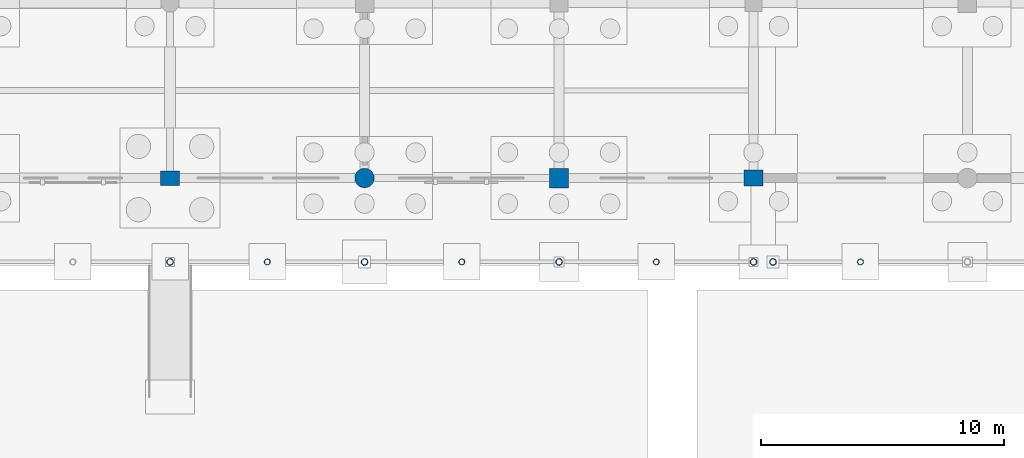
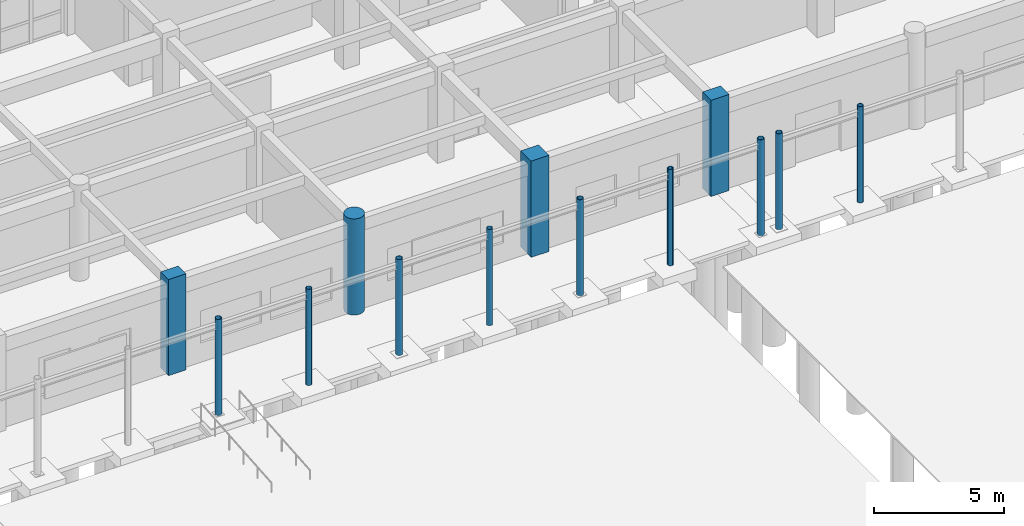
# One storey, part 37 of 166: 13 columns.
"""IFC4 building model written with IfcOpenShell, lengths in metres."""

from ifc_helpers import new_model, si_unit, direction, frame, origin, origin_2d, place, context, subcontext, project, spatial, rectangle, circle, hollow_circle, extrude, material, material_profile, profile_set, type_object, element, save


model = new_model("IFC4")

# Units and contexts
model_context = context("Model", 3, precision=1e-05, world=origin(), true_north=direction((0.0, 1.0)))
body_context = subcontext(model_context, "Body", "Model", "MODEL_VIEW")
ifc_project = project(units=[si_unit("LENGTHUNIT", "METRE"), si_unit("AREAUNIT", "SQUARE_METRE"), si_unit("VOLUMEUNIT", "CUBIC_METRE"), si_unit("PLANEANGLEUNIT", "RADIAN"), si_unit("MASSUNIT", "GRAM", prefix="KILO")], contexts=[model_context])

# Site, building, storey
site_placement = place(None, origin())
site = spatial("IfcSite", under=ifc_project, at=site_placement, CompositionType="ELEMENT")
building_placement = place(site_placement, origin())
building = spatial("IfcBuilding", under=site, at=building_placement, Name="Kharva Crest Polytechnic", CompositionType="ELEMENT")
storey_placement = place(building_placement, origin())
storey = spatial("IfcBuildingStorey", under=building, at=storey_placement, Name="L00", CompositionType="ELEMENT", Elevation=0.0)

# Columns
ifc_material_1 = material(Name="Concrete C40/50", Category="concrete")
ifc_material_profile_1 = material_profile(ifc_material_1, rectangle(XDim=0.780029296875, YDim=0.60009765625, at=origin_2d()), Name="RECT 780 X 600")
ifc_profile_set_1 = profile_set([ifc_material_profile_1], Name="Concrete C40/50")
column_type_1 = type_object("IfcColumnType", Name="COL-EXT-780X600", PredefinedType="COLUMN", material=ifc_profile_set_1)
column_1_placement = place(storey_placement, frame((96.0, 100.39990234375, 0.0), z_axis=(0.0, 0.0, 1.0), x_axis=(1.0, 0.0, 0.0)))
element("IfcColumn", 1, at=column_1_placement, inside=storey, type_object=column_type_1, Name="L00 Column 13/P", PredefinedType="COLUMN", context=body_context, shape_type="SweptSolid", body=[
    extrude(rectangle(XDim=0.780029296875, YDim=0.60009765625, at=origin_2d()), origin(), (0.0, 0.0, 1.0), 4.5),
])
ifc_material_profile_2 = material_profile(ifc_material_1, rectangle(XDim=0.800048828125, YDim=0.64990234375, at=origin_2d()), Name="RECT 800 X 650")
ifc_profile_set_2 = profile_set([ifc_material_profile_2], Name="Concrete C40/50")
column_type_2 = type_object("IfcColumnType", Name="COL-EXT-800X650", PredefinedType="COLUMN", material=ifc_profile_set_2)
column_2_placement = place(storey_placement, frame((120.0, 100.39990234375, 0.0), z_axis=(0.0, 0.0, 1.0), x_axis=(1.0, 0.0, 0.0)))
element("IfcColumn", 2, at=column_2_placement, inside=storey, type_object=column_type_2, Name="L00 Column 16/P", PredefinedType="COLUMN", context=body_context, shape_type="SweptSolid", body=[
    extrude(rectangle(XDim=0.800048828125, YDim=0.64990234375, at=origin_2d()), origin(), (0.0, 0.0, 1.0), 4.5),
])
ifc_material_profile_3 = material_profile(ifc_material_1, rectangle(XDim=0.800048828125, YDim=0.800048828125, at=origin_2d()), Name="RECT 800 X 800")
ifc_profile_set_3 = profile_set([ifc_material_profile_3], Name="Concrete C40/50")
column_type_3 = type_object("IfcColumnType", Name="COL-EXT-800X800", PredefinedType="COLUMN", material=ifc_profile_set_3)
column_3_placement = place(storey_placement, frame((112.0, 100.39990234375, 0.0), z_axis=(0.0, 0.0, 1.0), x_axis=(1.0, 0.0, 0.0)))
element("IfcColumn", 3, at=column_3_placement, inside=storey, type_object=column_type_3, Name="L00 Column 15/P", PredefinedType="COLUMN", context=body_context, shape_type="SweptSolid", body=[
    extrude(rectangle(XDim=0.800048828125, YDim=0.800048828125, at=origin_2d()), origin(), (0.0, 0.0, 1.0), 4.5),
])
ifc_material_profile_4 = material_profile(ifc_material_1, circle(Radius=0.39990234375, at=origin_2d()), Name="DIA 800")
ifc_profile_set_4 = profile_set([ifc_material_profile_4], Name="Concrete C40/50")
column_type_4 = type_object("IfcColumnType", Name="COL-EXT-DIA800", PredefinedType="COLUMN", material=ifc_profile_set_4)
column_4_placement = place(storey_placement, frame((104.0, 100.39990234375, 0.0), z_axis=(0.0, 0.0, 1.0), x_axis=(1.0, 0.0, 0.0)))
element("IfcColumn", 4, at=column_4_placement, inside=storey, type_object=column_type_4, Name="L00 Column 14/P", PredefinedType="COLUMN", context=body_context, shape_type="SweptSolid", body=[
    extrude(circle(Radius=0.39990234375, at=origin_2d()), origin(), (0.0, 0.0, 1.0), 4.5),
])
ifc_material_2 = material(Name="Steel S355", Category="steel")
ifc_material_profile_5 = material_profile(ifc_material_2, hollow_circle(Radius=0.122314453125, WallThickness=0.010009765625, at=origin_2d()), Name="CHS 244.5X10.0")
ifc_profile_set_5 = profile_set([ifc_material_profile_5], Name="Steel S355")
column_type_5 = type_object("IfcColumnType", Name="COL-STL-CHS244", PredefinedType="COLUMN", material=ifc_profile_set_5)
for number, where, z_axis, x_axis, name in (
    (5, (100.0, 96.949951171875, 0.0), (0.0, 0.0, 1.0), (1.0, 0.0, 0.0), "L00 Colonnade Mid Column VNM06"),
    (6, (108.0, 96.949951171875, 0.0), (0.0, 0.0, 1.0), (1.0, 0.0, 0.0), "L00 Colonnade Mid Column VNM07"),
    (7, (116.0, 96.949951171875, 0.0), (0.0, 0.0, 1.0), (1.0, 0.0, 0.0), "L00 Colonnade Mid Column VNM08"),
    (8, (124.39990234375, 96.949951171875, 0.0), (0.0, 0.0, 1.0), (1.0, 0.0, 0.0), "L00 Colonnade Mid Column VNM09"),
):
    element("IfcColumn", number, at=place(storey_placement, frame(where, z_axis=z_axis, x_axis=x_axis)), inside=storey, type_object=column_type_5, Name=name, PredefinedType="COLUMN", context=body_context, shape_type="SweptSolid", body=[
        extrude(hollow_circle(Radius=0.122314453125, WallThickness=0.010009765625, at=origin_2d()), origin(), (0.0, 0.0, 1.0), 4.5),
    ])
ifc_material_profile_6 = material_profile(ifc_material_2, hollow_circle(Radius=0.136474609375, WallThickness=0.012451171875, at=origin_2d()), Name="CHS 273.0X12.5")
ifc_profile_set_6 = profile_set([ifc_material_profile_6], Name="Steel S355")
column_type_6 = type_object("IfcColumnType", Name="COL-STL-CHS273", PredefinedType="COLUMN", material=ifc_profile_set_6)
for number, where, z_axis, x_axis, name in (
    (9, (96.0, 96.949951171875, 0.0), (0.0, 0.0, 1.0), (1.0, 0.0, 0.0), "L00 Colonnade Column VN06"),
    (10, (104.0, 96.949951171875, 0.0), (0.0, 0.0, 1.0), (1.0, 0.0, 0.0), "L00 Colonnade Column VN07"),
    (11, (112.0, 96.949951171875, 0.0), (0.0, 0.0, 1.0), (1.0, 0.0, 0.0), "L00 Colonnade Column VN08"),
    (12, (120.0, 96.949951171875, 0.0), (0.0, 0.0, 1.0), (1.0, 0.0, 0.0), "L00 Colonnade Column VN09"),
    (13, (120.800048828125, 96.949951171875, 0.0), (0.0, 0.0, 1.0), (1.0, 0.0, 0.0), "L00 Colonnade Column VN10"),
):
    element("IfcColumn", number, at=place(storey_placement, frame(where, z_axis=z_axis, x_axis=x_axis)), inside=storey, type_object=column_type_6, Name=name, PredefinedType="COLUMN", context=body_context, shape_type="SweptSolid", body=[
        extrude(hollow_circle(Radius=0.136474609375, WallThickness=0.012451171875, at=origin_2d()), origin(), (0.0, 0.0, 1.0), 4.5),
    ])

save(model, "model.ifc")
